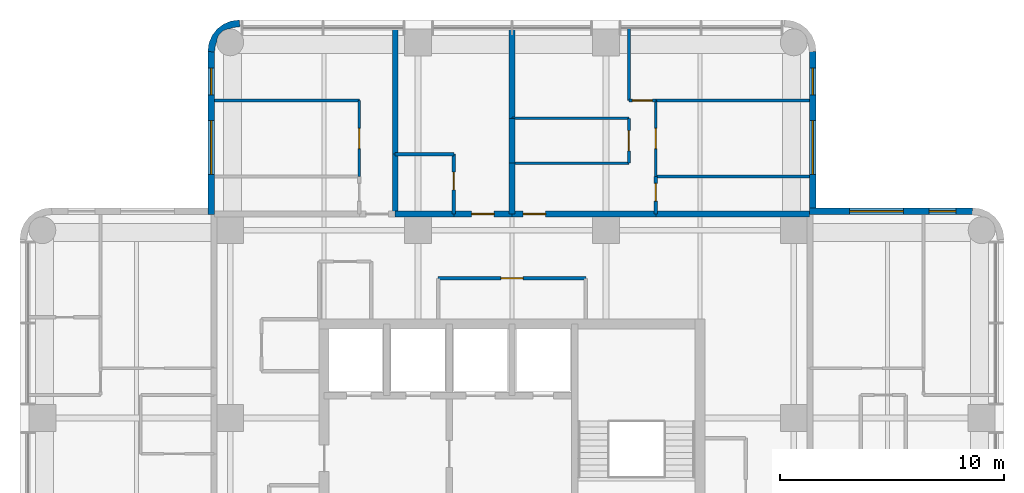
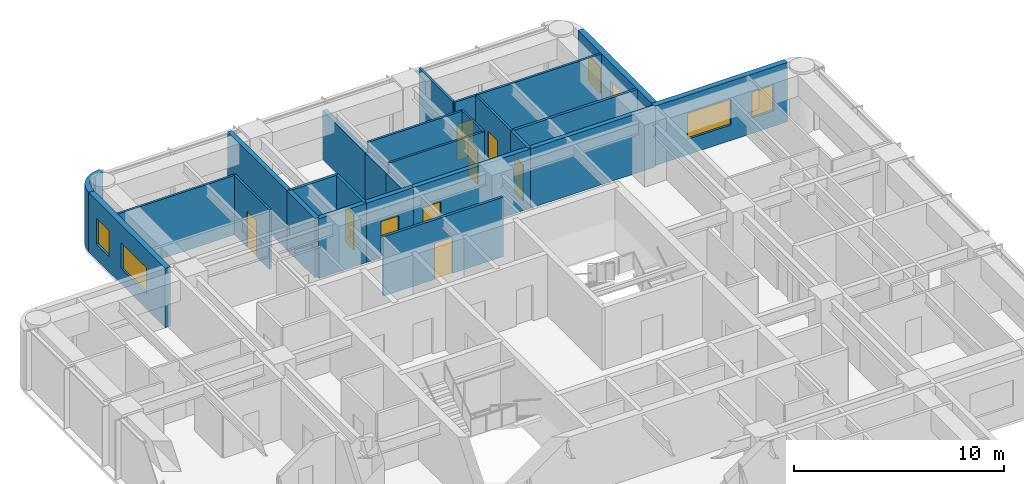
# One storey, part 8 of 10: 27 walls, 9 doors, 6 windows, 15 openings.
"""IFC4 building model written with IfcOpenShell, lengths in metres."""

from ifc_helpers import new_model, si_unit, direction, frame, frame_2d, origin, place, context, subcontext, project, spatial, polyline, rectangle, outline, extrude, material, layer, layer_set, type_object, element, fill, save


model = new_model("IFC4")

# Units and contexts
model_context = context("Model", 3, precision=1e-05, world=origin(), true_north=direction((0.0, 1.0)))
body_context = subcontext(model_context, "Body", "Model", "MODEL_VIEW")
ifc_project = project(units=[si_unit("LENGTHUNIT", "METRE"), si_unit("AREAUNIT", "SQUARE_METRE"), si_unit("VOLUMEUNIT", "CUBIC_METRE"), si_unit("PLANEANGLEUNIT", "RADIAN"), si_unit("MASSUNIT", "GRAM", prefix="KILO")], contexts=[model_context])

# Site, building, storey
site_placement = place(None, origin())
site = spatial("IfcSite", under=ifc_project, at=site_placement, CompositionType="ELEMENT")
building_placement = place(site_placement, origin())
building = spatial("IfcBuilding", under=site, at=building_placement, Name="Torre Alcanfor", CompositionType="ELEMENT")
storey_placement = place(building_placement, frame((0.0, 0.0, 272.10009765625)))
storey = spatial("IfcBuildingStorey", under=building, at=storey_placement, Name="L71", CompositionType="ELEMENT", Elevation=272.10009765625)

# Wall, opening, door
ifc_material_1 = material(Name="Concrete block masonry, hollow blocks NMX-C-404 9 MPa", Category="masonry")
ifc_layer_1 = layer(ifc_material_1, 0.25)
ifc_layer_set_1 = layer_set([ifc_layer_1], Name="Apartment entrance wall 250 EI 60")
wall_type_1 = type_object("IfcWallType", Name="Apartment entrance wall 250 EI 60", PredefinedType="PARTITIONING", material=ifc_layer_set_1)
wall_1_placement = place(storey_placement, frame((26.800048828125, 42.72509765625, 0.0), z_axis=(0.0, 0.0, 1.0), x_axis=(1.0, 0.0, 0.0)))
wall_1 = element("IfcWall", 1, at=wall_1_placement, inside=storey, type_object=wall_type_1, Name="Partition L71-CORR / L71-N1A-STUDIO", PredefinedType="PARTITIONING", context=body_context, shape_type="SweptSolid", body=[
    extrude(rectangle(XDim=2.599853515625, YDim=0.25, at=frame_2d((1.2998046875, 0.0))), origin(), (0.0, 0.0, 1.0), 3.449951171875),
])
opening_1_placement = place(wall_1_placement, frame((0.800048828125, 0.0, 0.0)))
opening_1 = element("IfcOpeningElement", 2, at=opening_1_placement, cuts=wall_1, Name="Opening D-A1", PredefinedType="OPENING", context=body_context, shape_type="SweptSolid", body=[
    extrude(rectangle(XDim=1.0, YDim=2.10009765625, at=frame_2d((0.5, 1.050048828125))), frame((0.0, 0.135009765625, 0.0), z_axis=(0.0, -1.0, 0.0), x_axis=(1.0, 0.0, 0.0)), (0.0, 0.0, 1.0), 0.27001953125),
])
ifc_material_2 = material(Name="Galvanised steel sheet ASTM A653", Category="steel")
door_type_1 = type_object("IfcDoorType", Name="Apartment entrance door FD60 1000x2100", OperationType="SINGLE_SWING_LEFT", PredefinedType="DOOR", material=ifc_material_2)
door_1_placement = place(opening_1_placement, origin())
door_1 = element("IfcDoor", 3, at=door_1_placement, inside=storey, type_object=door_type_1, Name="Apartment entrance L71-N1A", OperationType="SINGLE_SWING_LEFT", OverallHeight=2.10009765625, OverallWidth=1.0, PredefinedType="DOOR", context=body_context, shape_type="SweptSolid", body=[
    extrude(rectangle(XDim=1.0, YDim=2.10009765625, at=frame_2d((0.5, 1.050048828125))), frame((0.0, 0.02490234375, 0.0), z_axis=(0.0, -1.0, 0.0), x_axis=(1.0, 0.0, 0.0)), (0.0, 0.0, 1.0), 0.050048828125),
])
fill(opening_1, door_1)

# Wall
wall_2_placement = place(storey_placement, frame((24.1708984375, 42.72509765625, 0.0), z_axis=(0.0, 0.0, 1.0), x_axis=(1.0, 0.0, 0.0)))
element("IfcWall", 4, at=wall_2_placement, inside=storey, type_object=wall_type_1, Name="Partition L71-CORR / L71-N1A-BATH", PredefinedType="PARTITIONING", context=body_context, shape_type="SweptSolid", body=[
    extrude(rectangle(XDim=2.629150390625, YDim=0.25, at=frame_2d((1.314453125, 0.0))), origin(), (0.0, 0.0, 1.0), 3.449951171875),
])

# Wall, opening, door
wall_3_placement = place(storey_placement, frame((29.39990234375, 42.72509765625, 0.0), z_axis=(0.0, 0.0, 1.0), x_axis=(1.0, 0.0, 0.0)))
wall_3 = element("IfcWall", 5, at=wall_3_placement, inside=storey, type_object=wall_type_1, Name="Partition L71-CORR / L71-N2-LIVING", PredefinedType="PARTITIONING", context=body_context, shape_type="SweptSolid", body=[
    extrude(rectangle(XDim=6.42919921875, YDim=0.25, at=frame_2d((3.214599609375, 0.0))), origin(), (0.0, 0.0, 1.0), 3.449951171875),
])
opening_2_placement = place(wall_3_placement, frame((0.5, 0.0, 0.0)))
opening_2 = element("IfcOpeningElement", 6, at=opening_2_placement, cuts=wall_3, Name="Opening D-A1", PredefinedType="OPENING", context=body_context, shape_type="SweptSolid", body=[
    extrude(rectangle(XDim=1.0, YDim=2.10009765625, at=frame_2d((0.5, 1.050048828125))), frame((0.0, 0.135009765625, 0.0), z_axis=(0.0, -1.0, 0.0), x_axis=(1.0, 0.0, 0.0)), (0.0, 0.0, 1.0), 0.27001953125),
])
door_2_placement = place(opening_2_placement, origin())
door_2 = element("IfcDoor", 7, at=door_2_placement, inside=storey, type_object=door_type_1, Name="Apartment entrance L71-N2", OperationType="SINGLE_SWING_LEFT", OverallHeight=2.10009765625, OverallWidth=1.0, PredefinedType="DOOR", context=body_context, shape_type="SweptSolid", body=[
    extrude(rectangle(XDim=1.0, YDim=2.10009765625, at=frame_2d((0.5, 1.050048828125))), frame((0.0, 0.02490234375, 0.0), z_axis=(0.0, -1.0, 0.0), x_axis=(1.0, 0.0, 0.0)), (0.0, 0.0, 1.0), 0.050048828125),
])
fill(opening_2, door_2)

# Wall
wall_4_placement = place(storey_placement, frame((35.8291015625, 42.72509765625, 0.0), z_axis=(0.0, 0.0, 1.0), x_axis=(1.0, 0.0, 0.0)))
element("IfcWall", 8, at=wall_4_placement, inside=storey, type_object=wall_type_1, Name="Partition L71-CORR / L71-N2-BATH", PredefinedType="PARTITIONING", context=body_context, shape_type="SweptSolid", body=[
    extrude(rectangle(XDim=6.870849609375, YDim=0.25, at=frame_2d((3.435546875, 0.0))), origin(), (0.0, 0.0, 1.0), 3.449951171875),
])

# Wall, opening, door
ifc_material_3 = material(Name="Gypsum board on steel studs", Category="steel")
ifc_layer_2 = layer(ifc_material_3, 0.1201171875)
ifc_layer_set_2 = layer_set([ifc_layer_2], Name="Apartment partition 120")
wall_type_2 = type_object("IfcWallType", Name="Apartment partition 120", PredefinedType="PARTITIONING", material=ifc_layer_set_2)
wall_5_placement = place(storey_placement, frame((22.571044921875, 44.39990234375, 0.0), z_axis=(0.0, 0.0, 1.0), x_axis=(0.0, 1.0, 0.0)))
wall_5 = element("IfcWall", 9, at=wall_5_placement, inside=storey, type_object=wall_type_2, Name="Partition L71-N1B-LIVING / L71-N1B-MASTER", PredefinedType="PARTITIONING", context=body_context, shape_type="SweptSolid", body=[
    extrude(rectangle(XDim=3.400146484375, YDim=0.1201171875, at=frame_2d((1.7001953125, 0.0))), origin(), (0.0, 0.0, 1.0), 3.449951171875),
])
opening_3_placement = place(wall_5_placement, frame((1.25, 0.0, 0.0)))
opening_3 = element("IfcOpeningElement", 10, at=opening_3_placement, cuts=wall_5, Name="Opening D-R1", PredefinedType="OPENING", context=body_context, shape_type="SweptSolid", body=[
    extrude(rectangle(XDim=0.89990234375, YDim=2.10009765625, at=frame_2d((0.449951171875, 1.050048828125))), frame((0.0, 0.070068359375, 0.0), z_axis=(0.0, -1.0, 0.0), x_axis=(1.0, 0.0, 0.0)), (0.0, 0.0, 1.0), 0.14013671875),
])
ifc_material_4 = material(Name="Timber", Category="wood")
door_type_2 = type_object("IfcDoorType", Name="Internal door 900x2100", OperationType="SINGLE_SWING_LEFT", PredefinedType="DOOR", material=ifc_material_4)
door_3_placement = place(opening_3_placement, origin())
door_3 = element("IfcDoor", 11, at=door_3_placement, inside=storey, type_object=door_type_2, Name="Door L71-N1B master", OperationType="SINGLE_SWING_LEFT", OverallHeight=2.10009765625, OverallWidth=0.89990234375, PredefinedType="DOOR", context=body_context, shape_type="SweptSolid", body=[
    extrude(rectangle(XDim=0.89990234375, YDim=2.10009765625, at=frame_2d((0.449951171875, 1.050048828125))), frame((0.0, 0.02490234375, 0.0), z_axis=(0.0, -1.0, 0.0), x_axis=(1.0, 0.0, 0.0)), (0.0, 0.0, 1.0), 0.050048828125),
])
fill(opening_3, door_3)

# Walls
wall_6_placement = place(storey_placement, frame((22.571044921875, 47.800048828125, 0.0), z_axis=(0.0, 0.0, 1.0), x_axis=(-1.0, 0.0, 0.0)))
element("IfcWall", 12, at=wall_6_placement, inside=storey, type_object=wall_type_2, Name="Partition L71-N1B-LIVING / L71-N1B-MASTER", PredefinedType="PARTITIONING", context=body_context, shape_type="SweptSolid", body=[
    extrude(rectangle(XDim=6.470947265625, YDim=0.1201171875, at=frame_2d((3.2353515625, 0.0))), origin(), (0.0, 0.0, 1.0), 3.449951171875),
])
wall_7_placement = place(storey_placement, frame((29.39990234375, 47.0, 0.0), z_axis=(0.0, 0.0, 1.0), x_axis=(1.0, 0.0, 0.0)))
element("IfcWall", 13, at=wall_7_placement, inside=storey, type_object=wall_type_2, Name="Partition L71-N2-KITCHEN / L71-N2-LIVING", PredefinedType="PARTITIONING", context=body_context, shape_type="SweptSolid", body=[
    extrude(rectangle(XDim=5.22900390625, YDim=0.1201171875, at=frame_2d((2.614501953125, 0.0))), origin(), (0.0, 0.0, 1.0), 3.449951171875),
])

# Wall, opening, door
wall_8_placement = place(storey_placement, frame((34.62890625, 47.0, 0.0), z_axis=(0.0, 0.0, 1.0), x_axis=(0.0, -1.0, 0.0)))
wall_8 = element("IfcWall", 14, at=wall_8_placement, inside=storey, type_object=wall_type_2, Name="Partition L71-N2-KITCHEN / L71-N2-LIVING", PredefinedType="PARTITIONING", context=body_context, shape_type="SweptSolid", body=[
    extrude(rectangle(XDim=2.0, YDim=0.1201171875, at=frame_2d((1.0, 0.0))), origin(), (0.0, 0.0, 1.0), 3.449951171875),
])
opening_4_placement = place(wall_8_placement, frame((0.550048828125, 0.0, 0.0)))
opening_4 = element("IfcOpeningElement", 15, at=opening_4_placement, cuts=wall_8, Name="Opening D-R1", PredefinedType="OPENING", context=body_context, shape_type="SweptSolid", body=[
    extrude(rectangle(XDim=0.89990234375, YDim=2.10009765625, at=frame_2d((0.449951171875, 1.050048828125))), frame((0.0, 0.070068359375, 0.0), z_axis=(0.0, -1.0, 0.0), x_axis=(1.0, 0.0, 0.0)), (0.0, 0.0, 1.0), 0.14013671875),
])
door_4_placement = place(opening_4_placement, frame((0.89990234375, 0.0, 0.0), z_axis=(0.0, 0.0, 1.0), x_axis=(-1.0, 0.0, 0.0)))
door_4 = element("IfcDoor", 16, at=door_4_placement, inside=storey, type_object=door_type_2, Name="Door L71-N2 kitchen", OperationType="SINGLE_SWING_RIGHT", OverallHeight=2.10009765625, OverallWidth=0.89990234375, PredefinedType="DOOR", context=body_context, shape_type="SweptSolid", body=[
    extrude(rectangle(XDim=0.89990234375, YDim=2.10009765625, at=frame_2d((0.449951171875, 1.050048828125))), frame((0.0, 0.025146484375, 0.0), z_axis=(0.0, -1.0, 0.0), x_axis=(1.0, 0.0, 0.0)), (0.0, 0.0, 1.0), 0.050048828125),
])
fill(opening_4, door_4)

# Wall
wall_9_placement = place(storey_placement, frame((34.62890625, 45.0, 0.0), z_axis=(0.0, 0.0, 1.0), x_axis=(-1.0, 0.0, 0.0)))
element("IfcWall", 17, at=wall_9_placement, inside=storey, type_object=wall_type_2, Name="Partition L71-N2-KITCHEN / L71-N2-LIVING", PredefinedType="PARTITIONING", context=body_context, shape_type="SweptSolid", body=[
    extrude(rectangle(XDim=5.22900390625, YDim=0.1201171875, at=frame_2d((2.614501953125, 0.0))), origin(), (0.0, 0.0, 1.0), 3.449951171875),
])

# Wall, opening, door
wall_10_placement = place(storey_placement, frame((35.8291015625, 47.800048828125, 0.0), z_axis=(0.0, 0.0, 1.0), x_axis=(0.0, -1.0, 0.0)))
wall_10 = element("IfcWall", 18, at=wall_10_placement, inside=storey, type_object=wall_type_2, Name="Partition L71-N2-LIVING / L71-N2-STUDY", PredefinedType="PARTITIONING", context=body_context, shape_type="SweptSolid", body=[
    extrude(rectangle(XDim=3.400146484375, YDim=0.1201171875, at=frame_2d((1.7001953125, 0.0))), origin(), (0.0, 0.0, 1.0), 3.449951171875),
])
opening_5_placement = place(wall_10_placement, frame((1.25, 0.0, 0.0)))
opening_5 = element("IfcOpeningElement", 19, at=opening_5_placement, cuts=wall_10, Name="Opening D-R1", PredefinedType="OPENING", context=body_context, shape_type="SweptSolid", body=[
    extrude(rectangle(XDim=0.89990234375, YDim=2.10009765625, at=frame_2d((0.449951171875, 1.050048828125))), frame((0.0, 0.070068359375, 0.0), z_axis=(0.0, -1.0, 0.0), x_axis=(1.0, 0.0, 0.0)), (0.0, 0.0, 1.0), 0.14013671875),
])
door_5_placement = place(opening_5_placement, origin())
door_5 = element("IfcDoor", 20, at=door_5_placement, inside=storey, type_object=door_type_2, Name="Door L71-N2 study", OperationType="SINGLE_SWING_LEFT", OverallHeight=2.10009765625, OverallWidth=0.89990234375, PredefinedType="DOOR", context=body_context, shape_type="SweptSolid", body=[
    extrude(rectangle(XDim=0.89990234375, YDim=2.10009765625, at=frame_2d((0.449951171875, 1.050048828125))), frame((0.0, 0.02490234375, 0.0), z_axis=(0.0, -1.0, 0.0), x_axis=(1.0, 0.0, 0.0)), (0.0, 0.0, 1.0), 0.050048828125),
])
fill(opening_5, door_5)

# Wall
wall_11_placement = place(storey_placement, frame((34.62890625, 51.050048828125, 0.0), z_axis=(0.0, 0.0, 1.0), x_axis=(0.0, -1.0, 0.0)))
element("IfcWall", 21, at=wall_11_placement, inside=storey, type_object=wall_type_2, Name="Partition L71-N2-LIVING / L71-N2-MASTER", PredefinedType="PARTITIONING", context=body_context, shape_type="SweptSolid", body=[
    extrude(rectangle(XDim=3.25, YDim=0.1201171875, at=frame_2d((1.625, 0.0))), origin(), (0.0, 0.0, 1.0), 3.449951171875),
])

# Wall, opening, door
wall_12_placement = place(storey_placement, frame((34.62890625, 47.800048828125, 0.0), z_axis=(0.0, 0.0, 1.0), x_axis=(1.0, 0.0, 0.0)))
wall_12 = element("IfcWall", 22, at=wall_12_placement, inside=storey, type_object=wall_type_2, Name="Partition L71-N2-LIVING / L71-N2-MASTER", PredefinedType="PARTITIONING", context=body_context, shape_type="SweptSolid", body=[
    extrude(rectangle(XDim=1.2001953125, YDim=0.1201171875, at=frame_2d((0.60009765625, 0.0))), origin(), (0.0, 0.0, 1.0), 3.449951171875),
])
opening_6_placement = place(wall_12_placement, frame((0.15087890625, 0.0, 0.0)))
opening_6 = element("IfcOpeningElement", 23, at=opening_6_placement, cuts=wall_12, Name="Opening D-R1", PredefinedType="OPENING", context=body_context, shape_type="SweptSolid", body=[
    extrude(rectangle(XDim=0.89990234375, YDim=2.10009765625, at=frame_2d((0.449951171875, 1.050048828125))), frame((0.0, 0.070068359375, 0.0), z_axis=(0.0, -1.0, 0.0), x_axis=(1.0, 0.0, 0.0)), (0.0, 0.0, 1.0), 0.14013671875),
])
door_6_placement = place(opening_6_placement, origin())
door_6 = element("IfcDoor", 24, at=door_6_placement, inside=storey, type_object=door_type_2, Name="Door L71-N2 master", OperationType="SINGLE_SWING_LEFT", OverallHeight=2.10009765625, OverallWidth=0.89990234375, PredefinedType="DOOR", context=body_context, shape_type="SweptSolid", body=[
    extrude(rectangle(XDim=0.89990234375, YDim=2.10009765625, at=frame_2d((0.449951171875, 1.050048828125))), frame((0.0, 0.02490234375, 0.0), z_axis=(0.0, -1.0, 0.0), x_axis=(1.0, 0.0, 0.0)), (0.0, 0.0, 1.0), 0.050048828125),
])
fill(opening_6, door_6)

# Wall
wall_13_placement = place(storey_placement, frame((35.8291015625, 47.800048828125, 0.0), z_axis=(0.0, 0.0, 1.0), x_axis=(1.0, 0.0, 0.0)))
element("IfcWall", 25, at=wall_13_placement, inside=storey, type_object=wall_type_2, Name="Partition L71-N2-STUDY / L71-N2-MASTER", PredefinedType="PARTITIONING", context=body_context, shape_type="SweptSolid", body=[
    extrude(rectangle(XDim=6.870849609375, YDim=0.1201171875, at=frame_2d((3.435546875, 0.0))), origin(), (0.0, 0.0, 1.0), 3.449951171875),
])

# Wall, openings, windows
ifc_material_5 = material(Name="Limestone cladding", Category="masonry")
ifc_layer_3 = layer(ifc_material_5, 0.0400390625, Name="Facing")
ifc_material_6 = material(Name="Ventilated air cavity")
ifc_layer_4 = layer(ifc_material_6, 0.02001953125, ventilated=True, Name="Ventilated joint")
ifc_material_7 = material(Name="Mineral wool insulation", Category="insulation")
ifc_layer_5 = layer(ifc_material_7, 0.10009765625, Name="Insulation")
ifc_material_8 = material(Name="Concrete f'c 35 MPa", Category="concrete")
ifc_layer_6 = layer(ifc_material_8, 0.139892578125, Name="Backing")
ifc_layer_set_3 = layer_set([ifc_layer_3, ifc_layer_4, ifc_layer_5, ifc_layer_6], Name="External wall stone-clad 300")
wall_type_3 = type_object("IfcWallType", Name="External wall stone-clad 300", PredefinedType="SOLIDWALL", material=ifc_layer_set_3)
wall_14_placement = place(storey_placement, frame((50.0, 42.85009765625, 0.0), z_axis=(0.0, 0.0, 1.0), x_axis=(-1.0, 0.0, 0.0)))
wall_14 = element("IfcWall", 26, at=wall_14_placement, inside=storey, type_object=wall_type_3, Name="External wall L71 9", PredefinedType="SOLIDWALL", context=body_context, shape_type="SweptSolid", body=[
    extrude(rectangle(XDim=7.300048828125, YDim=0.300048828125, at=frame_2d((3.64990234375, 0.0))), origin(), (0.0, 0.0, 1.0), 3.449951171875),
])
opening_7_placement = place(wall_14_placement, frame((3.10009765625, 0.0, 0.89990234375)))
opening_7 = element("IfcOpeningElement", 27, at=opening_7_placement, cuts=wall_14, Name="Opening W1", PredefinedType="OPENING", context=body_context, shape_type="SweptSolid", body=[
    extrude(rectangle(XDim=2.39990234375, YDim=1.5, at=frame_2d((1.199951171875, 0.75))), frame((0.0, 0.159912109375, 0.0), z_axis=(0.0, -1.0, 0.0), x_axis=(1.0, 0.0, 0.0)), (0.0, 0.0, 1.0), 0.320068359375),
])
opening_8_placement = place(wall_14_placement, frame((0.75, 0.0, 0.89990234375)))
opening_8 = element("IfcOpeningElement", 28, at=opening_8_placement, cuts=wall_14, Name="Opening W4", PredefinedType="OPENING", context=body_context, shape_type="SweptSolid", body=[
    extrude(rectangle(XDim=1.199951171875, YDim=1.5, at=frame_2d((0.60009765625, 0.75))), frame((0.0, 0.159912109375, 0.0), z_axis=(0.0, -1.0, 0.0), x_axis=(1.0, 0.0, 0.0)), (0.0, 0.0, 1.0), 0.320068359375),
])
ifc_material_9 = material(Name="Aluminium frame with clear double glazing", Category="aluminium")
window_type_1 = type_object("IfcWindowType", Name="Window bedroom 1200x1500", PartitioningType="SINGLE_PANEL", PredefinedType="WINDOW", material=ifc_material_9)
window_1_placement = place(opening_8_placement, origin())
window_1 = element("IfcWindow", 29, at=window_1_placement, inside=storey, type_object=window_type_1, Name="Window W4 L71-E1", OverallHeight=1.5, OverallWidth=1.199951171875, PartitioningType="SINGLE_PANEL", PredefinedType="WINDOW", context=body_context, shape_type="SweptSolid", body=[
    extrude(rectangle(XDim=1.199951171875, YDim=1.5, at=frame_2d((0.60009765625, 0.75))), frame((0.0, 0.030029296875, 0.0), z_axis=(0.0, -1.0, 0.0), x_axis=(1.0, 0.0, 0.0)), (0.0, 0.0, 1.0), 0.06005859375),
])
fill(opening_8, window_1)
ifc_material_10 = material(Name="Aluminium frame with clear double glazing", Category="aluminium")
window_type_2 = type_object("IfcWindowType", Name="Window bedroom 2400x1500", PartitioningType="SINGLE_PANEL", PredefinedType="WINDOW", material=ifc_material_10)
window_2_placement = place(opening_7_placement, origin())
window_2 = element("IfcWindow", 30, at=window_2_placement, inside=storey, type_object=window_type_2, Name="Window W1 L71-E1", OverallHeight=1.5, OverallWidth=2.39990234375, PartitioningType="SINGLE_PANEL", PredefinedType="WINDOW", context=body_context, shape_type="SweptSolid", body=[
    extrude(rectangle(XDim=2.39990234375, YDim=1.5, at=frame_2d((1.199951171875, 0.75))), frame((0.0, 0.030029296875, 0.0), z_axis=(0.0, -1.0, 0.0), x_axis=(1.0, 0.0, 0.0)), (0.0, 0.0, 1.0), 0.06005859375),
])
fill(opening_7, window_2)

wall_15_placement = place(storey_placement, frame((42.85009765625, 43.0, 0.0), z_axis=(0.0, 0.0, 1.0), x_axis=(0.0, 1.0, 0.0)))
wall_15 = element("IfcWall", 31, at=wall_15_placement, inside=storey, type_object=wall_type_3, Name="External wall L71 10", PredefinedType="SOLIDWALL", context=body_context, shape_type="SweptSolid", body=[
    extrude(rectangle(XDim=7.0, YDim=0.300048828125, at=frame_2d((3.5, 0.0))), origin(), (0.0, 0.0, 1.0), 3.449951171875),
])
opening_9_placement = place(wall_15_placement, frame((1.5, 0.0, 0.89990234375)))
opening_9 = element("IfcOpeningElement", 32, at=opening_9_placement, cuts=wall_15, Name="Opening W1", PredefinedType="OPENING", context=body_context, shape_type="SweptSolid", body=[
    extrude(rectangle(XDim=2.39990234375, YDim=1.5, at=frame_2d((1.199951171875, 0.75))), frame((0.0, 0.159912109375, 0.0), z_axis=(0.0, -1.0, 0.0), x_axis=(1.0, 0.0, 0.0)), (0.0, 0.0, 1.0), 0.320068359375),
])
opening_10_placement = place(wall_15_placement, frame((5.050048828125, 0.0, 0.89990234375)))
opening_10 = element("IfcOpeningElement", 33, at=opening_10_placement, cuts=wall_15, Name="Opening W4", PredefinedType="OPENING", context=body_context, shape_type="SweptSolid", body=[
    extrude(rectangle(XDim=1.199951171875, YDim=1.5, at=frame_2d((0.60009765625, 0.75))), frame((0.0, 0.159912109375, 0.0), z_axis=(0.0, -1.0, 0.0), x_axis=(1.0, 0.0, 0.0)), (0.0, 0.0, 1.0), 0.320068359375),
])
window_3_placement = place(opening_10_placement, origin())
window_3 = element("IfcWindow", 34, at=window_3_placement, inside=storey, type_object=window_type_1, Name="Window W4 L71-N2", OverallHeight=1.5, OverallWidth=1.199951171875, PartitioningType="SINGLE_PANEL", PredefinedType="WINDOW", context=body_context, shape_type="SweptSolid", body=[
    extrude(rectangle(XDim=1.199951171875, YDim=1.5, at=frame_2d((0.60009765625, 0.75))), frame((0.0, 0.030029296875, 0.0), z_axis=(0.0, -1.0, 0.0), x_axis=(1.0, 0.0, 0.0)), (0.0, 0.0, 1.0), 0.06005859375),
])
fill(opening_10, window_3)
window_4_placement = place(opening_9_placement, origin())
window_4 = element("IfcWindow", 35, at=window_4_placement, inside=storey, type_object=window_type_2, Name="Window W1 L71-N2", OverallHeight=1.5, OverallWidth=2.39990234375, PartitioningType="SINGLE_PANEL", PredefinedType="WINDOW", context=body_context, shape_type="SweptSolid", body=[
    extrude(rectangle(XDim=2.39990234375, YDim=1.5, at=frame_2d((1.199951171875, 0.75))), frame((0.0, 0.030029296875, 0.0), z_axis=(0.0, -1.0, 0.0), x_axis=(1.0, 0.0, 0.0)), (0.0, 0.0, 1.0), 0.06005859375),
])
fill(opening_9, window_4)

wall_16_placement = place(storey_placement, frame((15.949951171875, 50.0, 0.0), z_axis=(0.0, 0.0, 1.0), x_axis=(0.0, -1.0, 0.0)))
wall_16 = element("IfcWall", 36, at=wall_16_placement, inside=storey, type_object=wall_type_3, Name="External wall L71 12", PredefinedType="SOLIDWALL", context=body_context, shape_type="SweptSolid", body=[
    extrude(rectangle(XDim=7.300048828125, YDim=0.300048828125, at=frame_2d((3.64990234375, 0.0))), origin(), (0.0, 0.0, 1.0), 3.449951171875),
])
opening_11_placement = place(wall_16_placement, frame((3.10009765625, 0.0, 0.89990234375)))
opening_11 = element("IfcOpeningElement", 37, at=opening_11_placement, cuts=wall_16, Name="Opening W1", PredefinedType="OPENING", context=body_context, shape_type="SweptSolid", body=[
    extrude(rectangle(XDim=2.39990234375, YDim=1.5, at=frame_2d((1.199951171875, 0.75))), frame((0.0, 0.159912109375, 0.0), z_axis=(0.0, -1.0, 0.0), x_axis=(1.0, 0.0, 0.0)), (0.0, 0.0, 1.0), 0.320068359375),
])
opening_12_placement = place(wall_16_placement, frame((0.75, 0.0, 0.89990234375)))
opening_12 = element("IfcOpeningElement", 38, at=opening_12_placement, cuts=wall_16, Name="Opening W4", PredefinedType="OPENING", context=body_context, shape_type="SweptSolid", body=[
    extrude(rectangle(XDim=1.199951171875, YDim=1.5, at=frame_2d((0.60009765625, 0.75))), frame((0.0, 0.159912109375, 0.0), z_axis=(0.0, -1.0, 0.0), x_axis=(1.0, 0.0, 0.0)), (0.0, 0.0, 1.0), 0.320068359375),
])
window_5_placement = place(opening_12_placement, origin())
window_5 = element("IfcWindow", 39, at=window_5_placement, inside=storey, type_object=window_type_1, Name="Window W4 L71-N1", OverallHeight=1.5, OverallWidth=1.199951171875, PartitioningType="SINGLE_PANEL", PredefinedType="WINDOW", context=body_context, shape_type="SweptSolid", body=[
    extrude(rectangle(XDim=1.199951171875, YDim=1.5, at=frame_2d((0.60009765625, 0.75))), frame((0.0, 0.030029296875, 0.0), z_axis=(0.0, -1.0, 0.0), x_axis=(1.0, 0.0, 0.0)), (0.0, 0.0, 1.0), 0.06005859375),
])
fill(opening_12, window_5)
window_6_placement = place(opening_11_placement, origin())
window_6 = element("IfcWindow", 40, at=window_6_placement, inside=storey, type_object=window_type_2, Name="Window W1 L71-N1", OverallHeight=1.5, OverallWidth=2.39990234375, PartitioningType="SINGLE_PANEL", PredefinedType="WINDOW", context=body_context, shape_type="SweptSolid", body=[
    extrude(rectangle(XDim=2.39990234375, YDim=1.5, at=frame_2d((1.199951171875, 0.75))), frame((0.0, 0.030029296875, 0.0), z_axis=(0.0, -1.0, 0.0), x_axis=(1.0, 0.0, 0.0)), (0.0, 0.0, 1.0), 0.06005859375),
])
fill(opening_11, window_6)

# Walls
ifc_material_11 = material(Name="Concrete block masonry, hollow blocks NMX-C-404 9 MPa", Category="masonry")
ifc_layer_7 = layer(ifc_material_11, 0.25)
ifc_layer_set_4 = layer_set([ifc_layer_7], Name="Party wall 250 EI 60")
wall_type_4 = type_object("IfcWallType", Name="Party wall 250 EI 60", PredefinedType="PARTITIONING", material=ifc_layer_set_4)
wall_17_placement = place(storey_placement, frame((24.1708984375, 45.39990234375, 0.0), z_axis=(0.0, 0.0, 1.0), x_axis=(0.0, 1.0, 0.0)))
element("IfcWall", 41, at=wall_17_placement, inside=storey, type_object=wall_type_4, Name="Partition L71-N1A-STUDIO / L71-N1B-LIVING", PredefinedType="PARTITIONING", context=body_context, shape_type="SweptSolid", body=[
    extrude(rectangle(XDim=5.650146484375, YDim=0.25, at=frame_2d((2.8251953125, 0.0))), origin(), (0.0, 0.0, 1.0), 3.449951171875),
])
wall_18_placement = place(storey_placement, frame((29.39990234375, 47.0, 0.0), z_axis=(0.0, 0.0, 1.0), x_axis=(0.0, -1.0, 0.0)))
element("IfcWall", 42, at=wall_18_placement, inside=storey, type_object=wall_type_4, Name="Partition L71-N1A-STUDIO / L71-N2-KITCHEN", PredefinedType="PARTITIONING", context=body_context, shape_type="SweptSolid", body=[
    extrude(rectangle(XDim=2.0, YDim=0.25, at=frame_2d((1.0, 0.0))), origin(), (0.0, 0.0, 1.0), 2.847900390625),
])
wall_19_placement = place(storey_placement, frame((29.39990234375, 45.0, 0.0), z_axis=(0.0, 0.0, 1.0), x_axis=(0.0, -1.0, 0.0)))
element("IfcWall", 43, at=wall_19_placement, inside=storey, type_object=wall_type_4, Name="Partition L71-N1A-STUDIO / L71-N2-LIVING", PredefinedType="PARTITIONING", context=body_context, shape_type="SweptSolid", body=[
    extrude(rectangle(XDim=2.27490234375, YDim=0.25, at=frame_2d((1.137451171875, 0.0))), origin(), (0.0, 0.0, 1.0), 2.847900390625),
])
wall_20_placement = place(storey_placement, frame((29.39990234375, 51.050048828125, 0.0), z_axis=(0.0, 0.0, 1.0), x_axis=(0.0, -1.0, 0.0)))
element("IfcWall", 44, at=wall_20_placement, inside=storey, type_object=wall_type_4, Name="Partition L71-N1A-STUDIO / L71-N2-LIVING", PredefinedType="PARTITIONING", context=body_context, shape_type="SweptSolid", body=[
    extrude(rectangle(XDim=4.050048828125, YDim=0.25, at=frame_2d((2.02490234375, 0.0))), origin(), (0.0, 0.0, 1.0), 2.847900390625),
])
wall_21_placement = place(storey_placement, frame((24.1708984375, 45.39990234375, 0.0), z_axis=(0.0, 0.0, 1.0), x_axis=(0.0, -1.0, 0.0)))
element("IfcWall", 45, at=wall_21_placement, inside=storey, type_object=wall_type_4, Name="Partition L71-N1A-BATH / L71-N1B-LIVING", PredefinedType="PARTITIONING", context=body_context, shape_type="SweptSolid", body=[
    extrude(rectangle(XDim=2.6748046875, YDim=0.25, at=frame_2d((1.33740234375, 0.0))), origin(), (0.0, 0.0, 1.0), 3.449951171875),
])

# Wall, opening, door
ifc_material_12 = material(Name="Concrete block masonry, hollow blocks NMX-C-404 9 MPa", Category="masonry")
ifc_layer_8 = layer(ifc_material_12, 0.14990234375)
ifc_layer_set_5 = layer_set([ifc_layer_8], Name="Residents' room partition 150")
wall_type_5 = type_object("IfcWallType", Name="Residents' room partition 150", PredefinedType="PARTITIONING", material=ifc_layer_set_5)
wall_22_placement = place(storey_placement, frame((32.699951171875, 39.85009765625, 0.0), z_axis=(0.0, 0.0, 1.0), x_axis=(-1.0, 0.0, 0.0)))
wall_22 = element("IfcWall", 46, at=wall_22_placement, inside=storey, type_object=wall_type_5, Name="Partition L71-CORR / L71-G02", PredefinedType="PARTITIONING", context=body_context, shape_type="SweptSolid", body=[
    extrude(rectangle(XDim=6.599853515625, YDim=0.14990234375, at=frame_2d((3.2998046875, 0.0))), origin(), (0.0, 0.0, 1.0), 3.449951171875),
])
opening_13_placement = place(wall_22_placement, frame((2.800048828125, 0.0, 0.0)))
opening_13 = element("IfcOpeningElement", 47, at=opening_13_placement, cuts=wall_22, Name="Opening D-M1", PredefinedType="OPENING", context=body_context, shape_type="SweptSolid", body=[
    extrude(rectangle(XDim=1.0, YDim=2.10009765625, at=frame_2d((0.5, 1.050048828125))), frame((0.0, 0.0849609375, 0.0), z_axis=(0.0, -1.0, 0.0), x_axis=(1.0, 0.0, 0.0)), (0.0, 0.0, 1.0), 0.169921875),
])
ifc_material_13 = material(Name="Timber", Category="wood")
door_type_3 = type_object("IfcDoorType", Name="Residents' room door 1000x2100", OperationType="SINGLE_SWING_LEFT", PredefinedType="DOOR", material=ifc_material_13)
door_7_placement = place(opening_13_placement, origin())
door_7 = element("IfcDoor", 48, at=door_7_placement, inside=storey, type_object=door_type_3, Name="Door L71-G02 hobby room", OperationType="SINGLE_SWING_LEFT", OverallHeight=2.10009765625, OverallWidth=1.0, PredefinedType="DOOR", context=body_context, shape_type="SweptSolid", body=[
    extrude(rectangle(XDim=1.0, YDim=2.10009765625, at=frame_2d((0.5, 1.050048828125))), frame((0.0, 0.02490234375, 0.0), z_axis=(0.0, -1.0, 0.0), x_axis=(1.0, 0.0, 0.0)), (0.0, 0.0, 1.0), 0.050048828125),
])
fill(opening_13, door_7)

# Wall
ifc_layer_9 = layer(ifc_material_5, 0.0400390625, Name="Facing")
ifc_layer_10 = layer(ifc_material_6, 0.02001953125, ventilated=True, Name="Ventilated joint")
ifc_layer_11 = layer(ifc_material_7, 0.10009765625, Name="Insulation")
ifc_layer_12 = layer(ifc_material_8, 0.139892578125, Name="Backing")
ifc_layer_set_6 = layer_set([ifc_layer_9, ifc_layer_10, ifc_layer_11, ifc_layer_12], Name="Rounded corner pier stone-clad 300")
wall_type_6 = type_object("IfcWallType", Name="Rounded corner pier stone-clad 300", PredefinedType="SOLIDWALL", material=ifc_layer_set_6)
wall_23_placement = place(storey_placement, frame((17.161581746, 50.975898117, 0.0), z_axis=(0.0, 0.0, 1.0), x_axis=(-0.707106781187, 0.707106781187, 0.0)))
element("IfcWall", 49, at=wall_23_placement, inside=storey, type_object=wall_type_6, Name="Corner pier L71 20", PredefinedType="SOLIDWALL", context=body_context, shape_type="SweptSolid", body=[
    extrude(outline(polyline([(0.04670774238592209, -0.12893693046191768), (0.03272442957437171, -0.14292024327346806), (0.2726849827602362, -0.3269475452131311), (0.495209553304538, -0.03709591298358683), (0.6350426814200417, 0.3005751963916298), (0.6826895250742134, 0.6627602615599347), (0.6350426814200417, 1.0252905937112406), (0.495209553304538, 1.3629617030864574), (0.2726849827602362, 1.6528133353160017), (0.032551796082871065, 1.468613399884838), (0.04653510889442147, 1.4546300870732876), (0.23315191320659384, 1.2117347645319125), (0.2921925672998066, 1.069139500552399), (0.35796592756154355, 1.003366140290662), (0.44946167805687315, 0.7823952711698656), (0.44928904456537255, 0.5432978854415043), (0.3579659275615435, 0.32249964981220874), (0.2921925672998065, 0.2567262895504718), (0.2331519132065938, 0.11413102557095803), (0.04670774238592209, -0.12893693046191768)])), origin(), (0.0, 0.0, 1.0), 3.449951171875),
])

# Wall, opening, door
ifc_material_14 = material(Name="Cement board on steel studs", Category="steel")
ifc_layer_13 = layer(ifc_material_14, 0.14990234375)
ifc_layer_set_7 = layer_set([ifc_layer_13], Name="Wet area partition 150")
wall_type_7 = type_object("IfcWallType", Name="Wet area partition 150", PredefinedType="PARTITIONING", material=ifc_layer_set_7)
wall_24_placement = place(storey_placement, frame((26.800048828125, 42.72509765625, 0.0), z_axis=(0.0, 0.0, 1.0), x_axis=(0.0, 1.0, 0.0)))
wall_24 = element("IfcWall", 50, at=wall_24_placement, inside=storey, type_object=wall_type_7, Name="Partition L71-N1A-STUDIO / L71-N1A-BATH", PredefinedType="PARTITIONING", context=body_context, shape_type="SweptSolid", body=[
    extrude(rectangle(XDim=2.6748046875, YDim=0.14990234375, at=frame_2d((1.33740234375, 0.0))), origin(), (0.0, 0.0, 1.0), 3.449951171875),
])
opening_14_placement = place(wall_24_placement, frame((1.074951171875, 0.0, 0.0)))
opening_14 = element("IfcOpeningElement", 51, at=opening_14_placement, cuts=wall_24, Name="Opening D-R2", PredefinedType="OPENING", context=body_context, shape_type="SweptSolid", body=[
    extrude(rectangle(XDim=0.800048828125, YDim=2.10009765625, at=frame_2d((0.39990234375, 1.050048828125))), frame((0.0, 0.0849609375, 0.0), z_axis=(0.0, -1.0, 0.0), x_axis=(1.0, 0.0, 0.0)), (0.0, 0.0, 1.0), 0.169921875),
])
ifc_material_15 = material(Name="Timber", Category="wood")
door_type_4 = type_object("IfcDoorType", Name="Bathroom door 800x2100", OperationType="SINGLE_SWING_LEFT", PredefinedType="DOOR", material=ifc_material_15)
door_8_placement = place(opening_14_placement, origin())
door_8 = element("IfcDoor", 52, at=door_8_placement, inside=storey, type_object=door_type_4, Name="Door L71-N1A bath", OperationType="SINGLE_SWING_RIGHT", OverallHeight=2.10009765625, OverallWidth=0.800048828125, PredefinedType="DOOR", context=body_context, shape_type="SweptSolid", body=[
    extrude(rectangle(XDim=0.800048828125, YDim=2.10009765625, at=frame_2d((0.39990234375, 1.050048828125))), frame((0.0, 0.02490234375, 0.0), z_axis=(0.0, -1.0, 0.0), x_axis=(1.0, 0.0, 0.0)), (0.0, 0.0, 1.0), 0.050048828125),
])
fill(opening_14, door_8)

# Wall
wall_25_placement = place(storey_placement, frame((26.800048828125, 45.39990234375, 0.0), z_axis=(0.0, 0.0, 1.0), x_axis=(-1.0, 0.0, 0.0)))
element("IfcWall", 53, at=wall_25_placement, inside=storey, type_object=wall_type_7, Name="Partition L71-N1A-STUDIO / L71-N1A-BATH", PredefinedType="PARTITIONING", context=body_context, shape_type="SweptSolid", body=[
    extrude(rectangle(XDim=2.629150390625, YDim=0.14990234375, at=frame_2d((1.314453125, 0.0))), origin(), (0.0, 0.0, 1.0), 3.449951171875),
])

# Wall, opening, door
wall_26_placement = place(storey_placement, frame((35.8291015625, 44.39990234375, 0.0), z_axis=(0.0, 0.0, 1.0), x_axis=(0.0, -1.0, 0.0)))
wall_26 = element("IfcWall", 54, at=wall_26_placement, inside=storey, type_object=wall_type_7, Name="Partition L71-N2-LIVING / L71-N2-BATH", PredefinedType="PARTITIONING", context=body_context, shape_type="SweptSolid", body=[
    extrude(rectangle(XDim=1.6748046875, YDim=0.14990234375, at=frame_2d((0.83740234375, 0.0))), origin(), (0.0, 0.0, 1.0), 3.449951171875),
])
opening_15_placement = place(wall_26_placement, frame((0.300048828125, 0.0, 0.0)))
opening_15 = element("IfcOpeningElement", 55, at=opening_15_placement, cuts=wall_26, Name="Opening D-R2", PredefinedType="OPENING", context=body_context, shape_type="SweptSolid", body=[
    extrude(rectangle(XDim=0.800048828125, YDim=2.10009765625, at=frame_2d((0.39990234375, 1.050048828125))), frame((0.0, 0.0849609375, 0.0), z_axis=(0.0, -1.0, 0.0), x_axis=(1.0, 0.0, 0.0)), (0.0, 0.0, 1.0), 0.169921875),
])
door_9_placement = place(opening_15_placement, origin())
door_9 = element("IfcDoor", 56, at=door_9_placement, inside=storey, type_object=door_type_4, Name="Door L71-N2 bath", OperationType="SINGLE_SWING_LEFT", OverallHeight=2.10009765625, OverallWidth=0.800048828125, PredefinedType="DOOR", context=body_context, shape_type="SweptSolid", body=[
    extrude(rectangle(XDim=0.800048828125, YDim=2.10009765625, at=frame_2d((0.39990234375, 1.050048828125))), frame((0.0, 0.02490234375, 0.0), z_axis=(0.0, -1.0, 0.0), x_axis=(1.0, 0.0, 0.0)), (0.0, 0.0, 1.0), 0.050048828125),
])
fill(opening_15, door_9)

# Wall
wall_27_placement = place(storey_placement, frame((35.8291015625, 44.39990234375, 0.0), z_axis=(0.0, 0.0, 1.0), x_axis=(1.0, 0.0, 0.0)))
element("IfcWall", 57, at=wall_27_placement, inside=storey, type_object=wall_type_7, Name="Partition L71-N2-BATH / L71-N2-STUDY", PredefinedType="PARTITIONING", context=body_context, shape_type="SweptSolid", body=[
    extrude(rectangle(XDim=6.870849609375, YDim=0.14990234375, at=frame_2d((3.435546875, 0.0))), origin(), (0.0, 0.0, 1.0), 3.449951171875),
])

save(model, "model.ifc")
